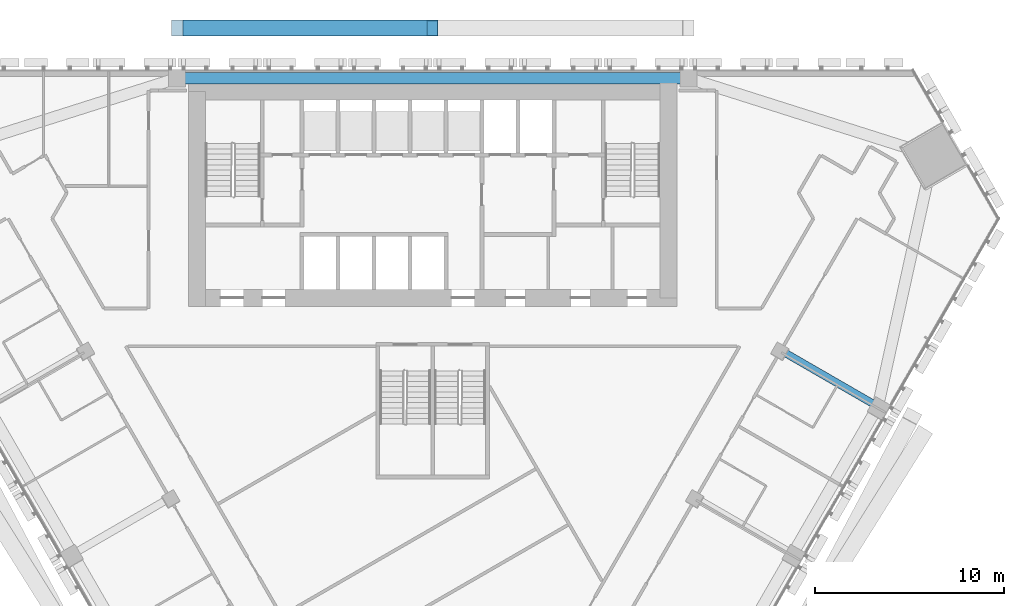
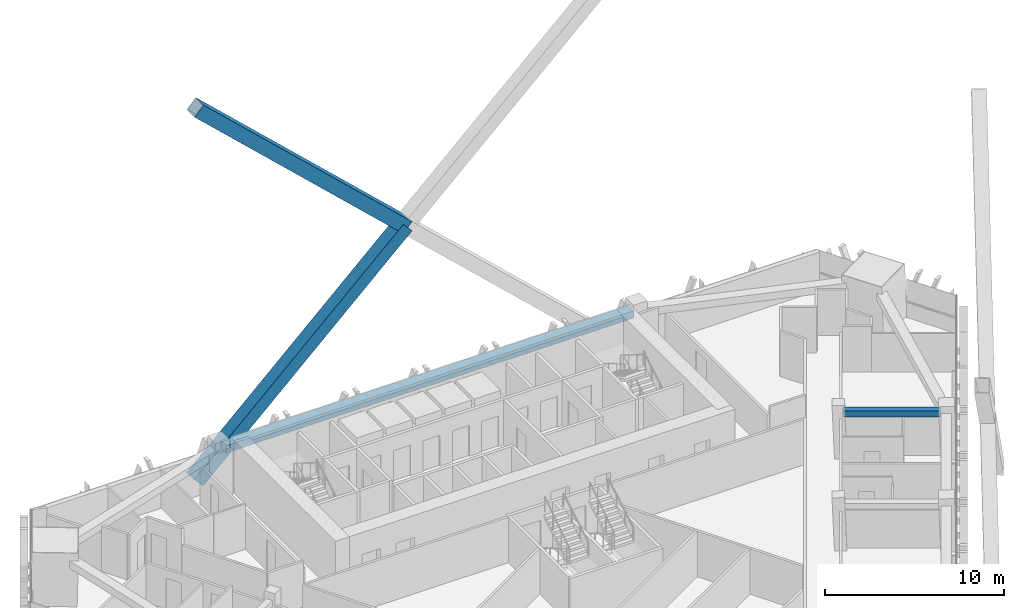
# One storey, part 9 of 19: 2 beams, 2 members.
"""IFC4 building model written with IfcOpenShell, lengths in metres."""

from ifc_helpers import new_model, si_unit, direction, frame, origin, origin_2d, place, context, subcontext, project, spatial, rectangle, hollow_rectangle, extrude, material, material_profile, profile_set, type_object, element, save


model = new_model("IFC4")

# Units and contexts
model_context = context("Model", 3, precision=1e-05, world=origin(), true_north=direction((0.0, 1.0)))
body_context = subcontext(model_context, "Body", "Model", "MODEL_VIEW")
ifc_project = project(units=[si_unit("LENGTHUNIT", "METRE"), si_unit("AREAUNIT", "SQUARE_METRE"), si_unit("VOLUMEUNIT", "CUBIC_METRE"), si_unit("PLANEANGLEUNIT", "RADIAN"), si_unit("MASSUNIT", "GRAM", prefix="KILO")], contexts=[model_context])

# Site, building, storey
site_placement = place(None, origin())
site = spatial("IfcSite", under=ifc_project, at=site_placement, CompositionType="ELEMENT")
building_placement = place(site_placement, origin())
building = spatial("IfcBuilding", under=site, at=building_placement, Name="Altiplano Prism Tower", CompositionType="ELEMENT")
storey_placement = place(building_placement, frame((0.0, 0.0, 70.199951171875)))
storey = spatial("IfcBuildingStorey", under=building, at=storey_placement, Name="L17", CompositionType="ELEMENT", Elevation=70.199951171875)

# Beam
ifc_material_1 = material(Name="Concrete C60/75", Category="concrete")
ifc_material_profile_1 = material_profile(ifc_material_1, rectangle(XDim=0.60009765625, YDim=0.5, at=origin_2d()), Name="Edge beam 600x500")
ifc_profile_set_1 = profile_set([ifc_material_profile_1], Name="Concrete C60/75")
beam_type_1 = type_object("IfcBeamType", Name="Edge beam 600x500", PredefinedType="SPANDREL", material=ifc_profile_set_1)
beam_1_placement = place(storey_placement, frame((98.169921875, 104.550048828125, 2.85009765625), z_axis=(-1.0, 0.0, 0.0), x_axis=(0.0, -1.0, 0.0)))
element("IfcBeam", 1, at=beam_1_placement, inside=storey, type_object=beam_type_1, Name="Edge beam P01-P04 L18", PredefinedType="SPANDREL", context=body_context, shape_type="SweptSolid", body=[
    extrude(rectangle(XDim=0.60009765625, YDim=0.5, at=origin_2d()), origin(), (0.0, 0.0, 1.0), 26.33984375),
])

# Members
ifc_material_2 = material(Name="Steel S355", Category="steel")
ifc_material_profile_2 = material_profile(ifc_material_2, hollow_rectangle(XDim=0.85009765625, YDim=0.85009765625, WallThickness=0.0400390625, at=origin_2d()), Name="Mega brace Box 850x850x40")
ifc_profile_set_2 = profile_set([ifc_material_profile_2], Name="Steel S355")
member_type = type_object("IfcMemberType", Name="Mega brace Box 850x850x40", PredefinedType="BRACE", material=ifc_profile_set_2)
member_1_placement = place(storey_placement, frame((85.0, 107.199951171875, 11.85009765625), z_axis=(-0.728360025, 0.0, 0.685194624892), x_axis=(0.0, -1.0, 0.0)))
element("IfcMember", 2, at=member_1_placement, inside=storey, type_object=member_type, Name="Mega brace 2.0.2", PredefinedType="BRACE", context=body_context, shape_type="SweptSolid", body=[
    extrude(hollow_rectangle(XDim=0.85009765625, YDim=0.85009765625, WallThickness=0.0400390625, at=origin_2d()), origin(), (0.0, 0.0, 1.0), 18.494873046875),
])
member_2_placement = place(storey_placement, frame((71.5, 107.199951171875, -0.849853515625), z_axis=(0.728359680569, 0.0, 0.685194991022), x_axis=(0.0, 1.0, 0.0)))
element("IfcMember", 3, at=member_2_placement, inside=storey, type_object=member_type, Name="Mega brace 2.0.3", PredefinedType="BRACE", context=body_context, shape_type="SweptSolid", body=[
    extrude(hollow_rectangle(XDim=0.85009765625, YDim=0.85009765625, WallThickness=0.0400390625, at=origin_2d()), origin(), (0.0, 0.0, 1.0), 18.534912109375),
])

# Beam
ifc_material_profile_3 = material_profile(ifc_material_1, rectangle(XDim=0.39990234375, YDim=0.39990234375, at=origin_2d()), Name="Tie beam 400x400")
ifc_profile_set_3 = profile_set([ifc_material_profile_3], Name="Concrete C60/75")
beam_type_2 = type_object("IfcBeamType", Name="Tie beam 400x400", PredefinedType="BEAM", material=ifc_profile_set_3)
beam_2_placement = place(storey_placement, frame((103.466796875, 90.12744140625, 2.900146484375), z_axis=(0.866012292785, -0.50002270823, 0.0), x_axis=(0.50002270823, 0.866012292785, 0.0)))
element("IfcBeam", 4, at=beam_2_placement, inside=storey, type_object=beam_type_2, Name="Tie beam I24 L18", PredefinedType="BEAM", context=body_context, shape_type="SweptSolid", body=[
    extrude(rectangle(XDim=0.39990234375, YDim=0.39990234375, at=origin_2d()), origin(), (0.0, 0.0, 1.0), 5.489990234375),
])

save(model, "model.ifc")
